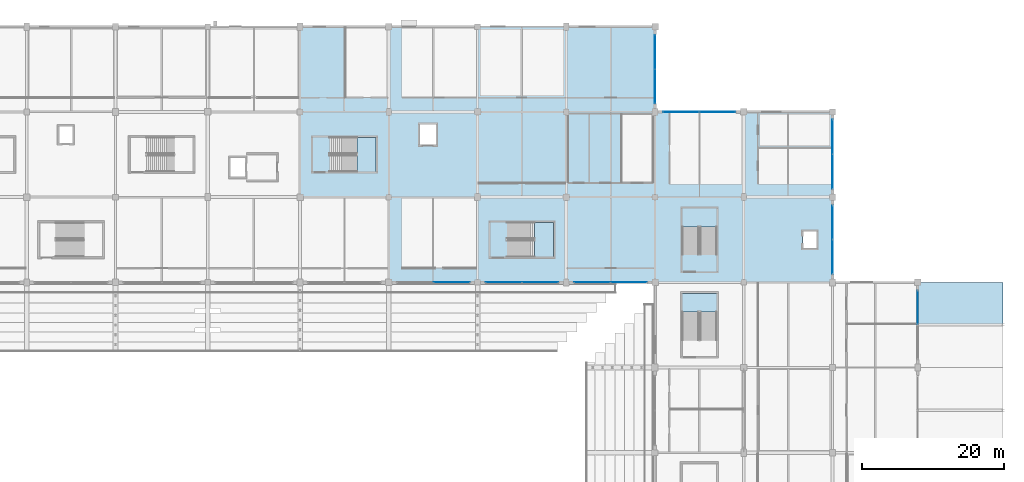
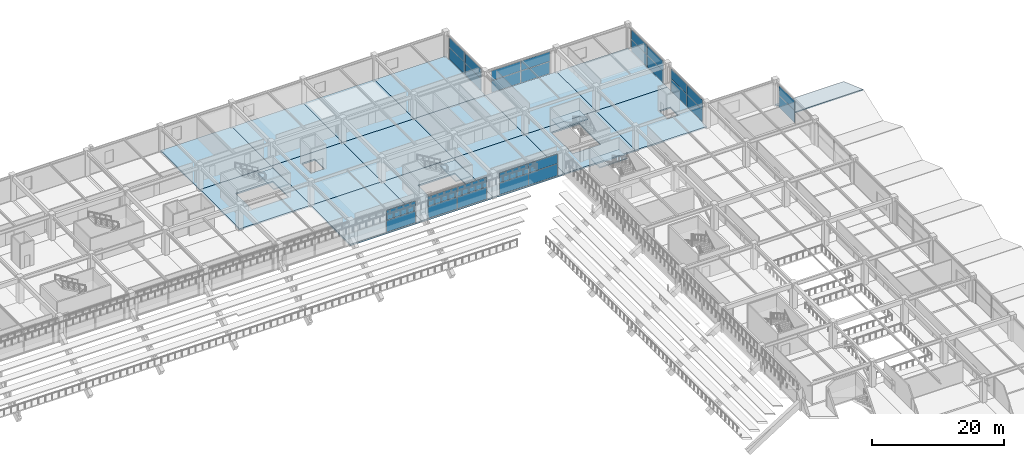
# One storey, part 71 of 134: 28 plates, 20 slabs, 12 elements without a shape of their own.
"""IFC4 building model written with IfcOpenShell, lengths in metres."""

from ifc_helpers import new_model, si_unit, direction, frame, origin, origin_2d, place, context, subcontext, project, spatial, polyline, rectangle, outline, extrude, material, layer, layer_set, type_object, element, aggregate, save


model = new_model("IFC4")

# Units and contexts
model_context = context("Model", 3, precision=1e-05, world=origin(), true_north=direction((0.0, 1.0)))
body_context = subcontext(model_context, "Body", "Model", "MODEL_VIEW")
ifc_project = project(units=[si_unit("LENGTHUNIT", "METRE"), si_unit("AREAUNIT", "SQUARE_METRE"), si_unit("VOLUMEUNIT", "CUBIC_METRE"), si_unit("PLANEANGLEUNIT", "RADIAN"), si_unit("MASSUNIT", "GRAM", prefix="KILO")], contexts=[model_context])

# Site, building, storey
site_placement = place(None, origin())
site = spatial("IfcSite", under=ifc_project, at=site_placement, CompositionType="ELEMENT")
building_placement = place(site_placement, origin())
building = spatial("IfcBuilding", under=site, at=building_placement, Name="Kazenohara Klinker Stadium", CompositionType="ELEMENT")
storey_placement = place(building_placement, frame((0.0, 0.0, 5.39990234375)))
storey = spatial("IfcBuildingStorey", under=building, at=storey_placement, Name="L01", CompositionType="ELEMENT", Elevation=5.39990234375)

# Curtain wall, plates
ifc_material_1 = material(Name="Anodised aluminium and triple glazing", Category="aluminium")
ifc_layer_1 = layer(ifc_material_1, 0.199951171875)
ifc_layer_set_1 = layer_set([ifc_layer_1], Name="Anodised aluminium and triple glazing")
curtain_wall_type_1 = type_object("IfcCurtainWallType", Name="CW-SYS-03", PredefinedType="USERDEFINED", material=ifc_layer_set_1)
curtain_wall_1_placement = place(storey_placement, origin())
curtain_wall_1 = element("IfcCurtainWall", 1, at=curtain_wall_1_placement, inside=storey, type_object=curtain_wall_type_1, Name="Unitised facade curtain wall CW03 L01 Y14-13", ObjectType="UNITISED CURTAIN WALL", PredefinedType="USERDEFINED")
ifc_material_2 = material(Name="Low-e laminated triple glazing", Category="glass")
ifc_layer_2 = layer(ifc_material_2, 0.035888671875)
ifc_layer_set_2 = layer_set([ifc_layer_2], Name="Low-e laminated triple glazing")
plate_type_1 = type_object("IfcPlateType", Name="CW-PNL-36", PredefinedType="CURTAIN_PANEL", material=ifc_layer_set_2)
plate_1_placement = place(storey_placement, frame((175.0, 159.605712890625, 0.065185546875), z_axis=(0.0, 0.0, 1.0), x_axis=(0.0, 1.0, 0.0)))
plate_1 = element("IfcPlate", 2, at=plate_1_placement, type_object=plate_type_1, Name="CW03 panel 1.1", PredefinedType="CURTAIN_PANEL", context=body_context, shape_type="SweptSolid", body=[
    extrude(rectangle(XDim=4.7734375, YDim=0.035888671875, at=origin_2d()), origin(), (0.0, 0.0, 1.0), 2.21240234375),
])
plate_2_placement = place(storey_placement, frame((175.0, 159.605712890625, 2.342529296875), z_axis=(0.0, 0.0, 1.0), x_axis=(0.0, 1.0, 0.0)))
plate_2 = element("IfcPlate", 3, at=plate_2_placement, type_object=plate_type_1, Name="CW03 panel 1.2", PredefinedType="CURTAIN_PANEL", context=body_context, shape_type="SweptSolid", body=[
    extrude(rectangle(XDim=4.7734375, YDim=0.035888671875, at=origin_2d()), origin(), (0.0, 0.0, 1.0), 1.79248046875),
])
plate_3_placement = place(storey_placement, frame((175.0, 164.4443359375, 0.065185546875), z_axis=(0.0, 0.0, 1.0), x_axis=(0.0, 1.0, 0.0)))
plate_3 = element("IfcPlate", 4, at=plate_3_placement, type_object=plate_type_1, Name="CW03 panel 2.1", PredefinedType="CURTAIN_PANEL", context=body_context, shape_type="SweptSolid", body=[
    extrude(rectangle(XDim=4.7734375, YDim=0.035888671875, at=origin_2d()), origin(), (0.0, 0.0, 1.0), 2.21240234375),
])
plate_4_placement = place(storey_placement, frame((175.0, 164.4443359375, 2.342529296875), z_axis=(0.0, 0.0, 1.0), x_axis=(0.0, 1.0, 0.0)))
plate_4 = element("IfcPlate", 5, at=plate_4_placement, type_object=plate_type_1, Name="CW03 panel 2.2", PredefinedType="CURTAIN_PANEL", context=body_context, shape_type="SweptSolid", body=[
    extrude(rectangle(XDim=4.7734375, YDim=0.035888671875, at=origin_2d()), origin(), (0.0, 0.0, 1.0), 1.79248046875),
])
aggregate(curtain_wall_1, [plate_1, plate_2, plate_3, plate_4])

ifc_layer_3 = layer(ifc_material_1, 0.159912109375)
ifc_layer_set_3 = layer_set([ifc_layer_3], Name="Anodised aluminium and triple glazing")
curtain_wall_type_2 = type_object("IfcCurtainWallType", Name="CW-SYS-01", PredefinedType="USERDEFINED", material=ifc_layer_set_3)
curtain_wall_2_placement = place(storey_placement, origin())
curtain_wall_2 = element("IfcCurtainWall", 6, at=curtain_wall_2_placement, inside=storey, type_object=curtain_wall_type_2, Name="Unitised facade curtain wall CW01 L01 Y16-12", ObjectType="UNITISED CURTAIN WALL", PredefinedType="USERDEFINED")
plate_5_placement = place(storey_placement, frame((200.0, 147.580810546875, 0.065185546875), z_axis=(0.0, 0.0, 1.0), x_axis=(0.0, 1.0, 0.0)))
plate_5 = element("IfcPlate", 7, at=plate_5_placement, type_object=plate_type_1, Name="CW01 panel 1.1", PredefinedType="CURTAIN_PANEL", context=body_context, shape_type="SweptSolid", body=[
    extrude(rectangle(XDim=4.823486328125, YDim=0.035888671875, at=origin_2d()), origin(), (0.0, 0.0, 1.0), 2.18505859375),
])
plate_6_placement = place(storey_placement, frame((200.0, 147.580810546875, 2.315185546875), z_axis=(0.0, 0.0, 1.0), x_axis=(0.0, 1.0, 0.0)))
plate_6 = element("IfcPlate", 8, at=plate_6_placement, type_object=plate_type_1, Name="CW01 panel 1.2", PredefinedType="CURTAIN_PANEL", context=body_context, shape_type="SweptSolid", body=[
    extrude(rectangle(XDim=4.823486328125, YDim=0.035888671875, at=origin_2d()), origin(), (0.0, 0.0, 1.0), 1.77001953125),
])
plate_7_placement = place(storey_placement, frame((200.0, 152.46923828125, 0.065185546875), z_axis=(0.0, 0.0, 1.0), x_axis=(0.0, 1.0, 0.0)))
plate_7 = element("IfcPlate", 9, at=plate_7_placement, type_object=plate_type_1, Name="CW01 panel 2.1", PredefinedType="CURTAIN_PANEL", context=body_context, shape_type="SweptSolid", body=[
    extrude(rectangle(XDim=4.823486328125, YDim=0.035888671875, at=origin_2d()), origin(), (0.0, 0.0, 1.0), 2.18505859375),
])
plate_8_placement = place(storey_placement, frame((200.0, 152.46923828125, 2.315185546875), z_axis=(0.0, 0.0, 1.0), x_axis=(0.0, 1.0, 0.0)))
plate_8 = element("IfcPlate", 10, at=plate_8_placement, type_object=plate_type_1, Name="CW01 panel 2.2", PredefinedType="CURTAIN_PANEL", context=body_context, shape_type="SweptSolid", body=[
    extrude(rectangle(XDim=4.823486328125, YDim=0.035888671875, at=origin_2d()), origin(), (0.0, 0.0, 1.0), 1.77001953125),
])
aggregate(curtain_wall_2, [plate_5, plate_6, plate_7, plate_8])

curtain_wall_3_placement = place(storey_placement, origin())
curtain_wall_3 = element("IfcCurtainWall", 11, at=curtain_wall_3_placement, inside=storey, type_object=curtain_wall_type_1, Name="Unitised facade curtain wall CW03 L01 X11-11", ObjectType="UNITISED CURTAIN WALL", PredefinedType="USERDEFINED")
ifc_layer_4 = layer(ifc_material_2, 0.0439453125)
ifc_layer_set_4 = layer_set([ifc_layer_4], Name="Low-e laminated triple glazing")
plate_type_2 = type_object("IfcPlateType", Name="CW-PNL-44", PredefinedType="CURTAIN_PANEL", material=ifc_layer_set_4)
plate_9_placement = place(storey_placement, frame((146.341796875, 132.0, 0.0751953125), z_axis=(0.0, 0.0, 1.0), x_axis=(1.0, 0.0, 0.0)))
plate_9 = element("IfcPlate", 12, at=plate_9_placement, type_object=plate_type_2, Name="CW03 panel 2.1", PredefinedType="CURTAIN_PANEL", context=body_context, shape_type="SweptSolid", body=[
    extrude(rectangle(XDim=5.05859375, YDim=0.0439453125, at=origin_2d()), origin(), (0.0, 0.0, 1.0), 2.169921875),
])
plate_10_placement = place(storey_placement, frame((146.341796875, 132.0, 2.320068359375), z_axis=(0.0, 0.0, 1.0), x_axis=(1.0, 0.0, 0.0)))
plate_10 = element("IfcPlate", 13, at=plate_10_placement, type_object=plate_type_2, Name="CW03 panel 2.2", PredefinedType="CURTAIN_PANEL", context=body_context, shape_type="SweptSolid", body=[
    extrude(rectangle(XDim=5.05859375, YDim=0.0439453125, at=origin_2d()), origin(), (0.0, 0.0, 1.0), 1.7548828125),
])
aggregate(curtain_wall_3, [plate_9, plate_10])

ifc_layer_5 = layer(ifc_material_1, 0.18994140625)
ifc_layer_set_5 = layer_set([ifc_layer_5], Name="Anodised aluminium and triple glazing")
curtain_wall_type_3 = type_object("IfcCurtainWallType", Name="CW-SYS-05", PredefinedType="USERDEFINED", material=ifc_layer_set_5)
curtain_wall_4_placement = place(storey_placement, origin())
curtain_wall_4 = element("IfcCurtainWall", 14, at=curtain_wall_4_placement, inside=storey, type_object=curtain_wall_type_3, Name="Unitised facade curtain wall CW05 L01 X12-11", ObjectType="UNITISED CURTAIN WALL", PredefinedType="USERDEFINED")
plate_11_placement = place(storey_placement, frame((153.670654296875, 132.0, 0.0751953125), z_axis=(0.0, 0.0, 1.0), x_axis=(1.0, 0.0, 0.0)))
plate_11 = element("IfcPlate", 15, at=plate_11_placement, type_object=plate_type_2, Name="CW05 panel 1.1", PredefinedType="CURTAIN_PANEL", context=body_context, shape_type="SweptSolid", body=[
    extrude(rectangle(XDim=5.08349609375, YDim=0.0439453125, at=origin_2d()), origin(), (0.0, 0.0, 1.0), 2.197509765625),
])
plate_12_placement = place(storey_placement, frame((153.670654296875, 132.0, 2.34765625), z_axis=(0.0, 0.0, 1.0), x_axis=(1.0, 0.0, 0.0)))
plate_12 = element("IfcPlate", 16, at=plate_12_placement, type_object=plate_type_2, Name="CW05 panel 1.2", PredefinedType="CURTAIN_PANEL", context=body_context, shape_type="SweptSolid", body=[
    extrude(rectangle(XDim=5.08349609375, YDim=0.0439453125, at=origin_2d()), origin(), (0.0, 0.0, 1.0), 1.777587890625),
])
plate_13_placement = place(storey_placement, frame((158.829345703125, 132.0, 0.0751953125), z_axis=(0.0, 0.0, 1.0), x_axis=(1.0, 0.0, 0.0)))
plate_13 = element("IfcPlate", 17, at=plate_13_placement, type_object=plate_type_2, Name="CW05 panel 2.1", PredefinedType="CURTAIN_PANEL", context=body_context, shape_type="SweptSolid", body=[
    extrude(rectangle(XDim=5.08349609375, YDim=0.0439453125, at=origin_2d()), origin(), (0.0, 0.0, 1.0), 2.197509765625),
])
plate_14_placement = place(storey_placement, frame((158.829345703125, 132.0, 2.34765625), z_axis=(0.0, 0.0, 1.0), x_axis=(1.0, 0.0, 0.0)))
plate_14 = element("IfcPlate", 18, at=plate_14_placement, type_object=plate_type_2, Name="CW05 panel 2.2", PredefinedType="CURTAIN_PANEL", context=body_context, shape_type="SweptSolid", body=[
    extrude(rectangle(XDim=5.08349609375, YDim=0.0439453125, at=origin_2d()), origin(), (0.0, 0.0, 1.0), 1.777587890625),
])
aggregate(curtain_wall_4, [plate_11, plate_12, plate_13, plate_14])

ifc_layer_6 = layer(ifc_material_1, 0.179931640625)
ifc_layer_set_6 = layer_set([ifc_layer_6], Name="Anodised aluminium and triple glazing")
curtain_wall_type_4 = type_object("IfcCurtainWallType", Name="CW-SYS-02", PredefinedType="USERDEFINED", material=ifc_layer_set_6)
curtain_wall_5_placement = place(storey_placement, origin())
curtain_wall_5 = element("IfcCurtainWall", 19, at=curtain_wall_5_placement, inside=storey, type_object=curtain_wall_type_4, Name="Unitised facade curtain wall CW02 L01 X13-11", ObjectType="UNITISED CURTAIN WALL", PredefinedType="USERDEFINED")
plate_15_placement = place(storey_placement, frame((166.158203125, 132.0, 0.0751953125), z_axis=(0.0, 0.0, 1.0), x_axis=(1.0, 0.0, 0.0)))
plate_15 = element("IfcPlate", 20, at=plate_15_placement, type_object=plate_type_2, Name="CW02 panel 1.1", PredefinedType="CURTAIN_PANEL", context=body_context, shape_type="SweptSolid", body=[
    extrude(rectangle(XDim=5.05859375, YDim=0.0439453125, at=origin_2d()), origin(), (0.0, 0.0, 1.0), 2.169921875),
])
plate_16_placement = place(storey_placement, frame((166.158203125, 132.0, 2.320068359375), z_axis=(0.0, 0.0, 1.0), x_axis=(1.0, 0.0, 0.0)))
plate_16 = element("IfcPlate", 21, at=plate_16_placement, type_object=plate_type_2, Name="CW02 panel 1.2", PredefinedType="CURTAIN_PANEL", context=body_context, shape_type="SweptSolid", body=[
    extrude(rectangle(XDim=5.05859375, YDim=0.0439453125, at=origin_2d()), origin(), (0.0, 0.0, 1.0), 1.7548828125),
])
plate_17_placement = place(storey_placement, frame((171.291748046875, 132.0, 0.0751953125), z_axis=(0.0, 0.0, 1.0), x_axis=(1.0, 0.0, 0.0)))
plate_17 = element("IfcPlate", 22, at=plate_17_placement, type_object=plate_type_2, Name="CW02 panel 2.1", PredefinedType="CURTAIN_PANEL", context=body_context, shape_type="SweptSolid", body=[
    extrude(rectangle(XDim=5.05859375, YDim=0.0439453125, at=origin_2d()), origin(), (0.0, 0.0, 1.0), 2.169921875),
])
plate_18_placement = place(storey_placement, frame((171.291748046875, 132.0, 2.320068359375), z_axis=(0.0, 0.0, 1.0), x_axis=(1.0, 0.0, 0.0)))
plate_18 = element("IfcPlate", 23, at=plate_18_placement, type_object=plate_type_2, Name="CW02 panel 2.2", PredefinedType="CURTAIN_PANEL", context=body_context, shape_type="SweptSolid", body=[
    extrude(rectangle(XDim=5.05859375, YDim=0.0439453125, at=origin_2d()), origin(), (0.0, 0.0, 1.0), 1.7548828125),
])
aggregate(curtain_wall_5, [plate_15, plate_16, plate_17, plate_18])

curtain_wall_6_placement = place(storey_placement, origin())
curtain_wall_6 = element("IfcCurtainWall", 24, at=curtain_wall_6_placement, inside=storey, type_object=curtain_wall_type_1, Name="Unitised facade curtain wall CW03 L01 X14-13", ObjectType="UNITISED CURTAIN WALL", PredefinedType="USERDEFINED")
plate_19_placement = place(storey_placement, frame((178.658203125, 156.0, 0.0751953125), z_axis=(0.0, 0.0, 1.0), x_axis=(1.0, 0.0, 0.0)))
plate_19 = element("IfcPlate", 25, at=plate_19_placement, type_object=plate_type_2, Name="CW03 panel 1.1", PredefinedType="CURTAIN_PANEL", context=body_context, shape_type="SweptSolid", body=[
    extrude(rectangle(XDim=5.05859375, YDim=0.0439453125, at=origin_2d()), origin(), (0.0, 0.0, 1.0), 2.197509765625),
])
plate_20_placement = place(storey_placement, frame((178.658203125, 156.0, 2.34765625), z_axis=(0.0, 0.0, 1.0), x_axis=(1.0, 0.0, 0.0)))
plate_20 = element("IfcPlate", 26, at=plate_20_placement, type_object=plate_type_2, Name="CW03 panel 1.2", PredefinedType="CURTAIN_PANEL", context=body_context, shape_type="SweptSolid", body=[
    extrude(rectangle(XDim=5.05859375, YDim=0.0439453125, at=origin_2d()), origin(), (0.0, 0.0, 1.0), 1.777587890625),
])
plate_21_placement = place(storey_placement, frame((183.791748046875, 156.0, 0.0751953125), z_axis=(0.0, 0.0, 1.0), x_axis=(1.0, 0.0, 0.0)))
plate_21 = element("IfcPlate", 27, at=plate_21_placement, type_object=plate_type_2, Name="CW03 panel 2.1", PredefinedType="CURTAIN_PANEL", context=body_context, shape_type="SweptSolid", body=[
    extrude(rectangle(XDim=5.05859375, YDim=0.0439453125, at=origin_2d()), origin(), (0.0, 0.0, 1.0), 2.197509765625),
])
plate_22_placement = place(storey_placement, frame((183.791748046875, 156.0, 2.34765625), z_axis=(0.0, 0.0, 1.0), x_axis=(1.0, 0.0, 0.0)))
plate_22 = element("IfcPlate", 28, at=plate_22_placement, type_object=plate_type_2, Name="CW03 panel 2.2", PredefinedType="CURTAIN_PANEL", context=body_context, shape_type="SweptSolid", body=[
    extrude(rectangle(XDim=5.05859375, YDim=0.0439453125, at=origin_2d()), origin(), (0.0, 0.0, 1.0), 1.777587890625),
])
aggregate(curtain_wall_6, [plate_19, plate_20, plate_21, plate_22])

curtain_wall_7_placement = place(storey_placement, origin())
curtain_wall_7 = element("IfcCurtainWall", 29, at=curtain_wall_7_placement, inside=storey, type_object=curtain_wall_type_3, Name="Unitised facade curtain wall CW05 L01 Y16-11", ObjectType="UNITISED CURTAIN WALL", PredefinedType="USERDEFINED")
plate_23_placement = place(storey_placement, frame((200.0, 135.608154296875, 0.0751953125), z_axis=(0.0, 0.0, 1.0), x_axis=(0.0, 1.0, 0.0)))
plate_23 = element("IfcPlate", 30, at=plate_23_placement, type_object=plate_type_2, Name="CW05 panel 1.1", PredefinedType="CURTAIN_PANEL", context=body_context, shape_type="SweptSolid", body=[
    extrude(rectangle(XDim=4.758544921875, YDim=0.0439453125, at=origin_2d()), origin(), (0.0, 0.0, 1.0), 2.197509765625),
])
plate_24_placement = place(storey_placement, frame((200.0, 135.608154296875, 2.34765625), z_axis=(0.0, 0.0, 1.0), x_axis=(0.0, 1.0, 0.0)))
plate_24 = element("IfcPlate", 31, at=plate_24_placement, type_object=plate_type_2, Name="CW05 panel 1.2", PredefinedType="CURTAIN_PANEL", context=body_context, shape_type="SweptSolid", body=[
    extrude(rectangle(XDim=4.758544921875, YDim=0.0439453125, at=origin_2d()), origin(), (0.0, 0.0, 1.0), 1.777587890625),
])
plate_25_placement = place(storey_placement, frame((200.0, 140.441650390625, 0.0751953125), z_axis=(0.0, 0.0, 1.0), x_axis=(0.0, 1.0, 0.0)))
plate_25 = element("IfcPlate", 32, at=plate_25_placement, type_object=plate_type_2, Name="CW05 panel 2.1", PredefinedType="CURTAIN_PANEL", context=body_context, shape_type="SweptSolid", body=[
    extrude(rectangle(XDim=4.758544921875, YDim=0.0439453125, at=origin_2d()), origin(), (0.0, 0.0, 1.0), 2.197509765625),
])
plate_26_placement = place(storey_placement, frame((200.0, 140.441650390625, 2.34765625), z_axis=(0.0, 0.0, 1.0), x_axis=(0.0, 1.0, 0.0)))
plate_26 = element("IfcPlate", 33, at=plate_26_placement, type_object=plate_type_2, Name="CW05 panel 2.2", PredefinedType="CURTAIN_PANEL", context=body_context, shape_type="SweptSolid", body=[
    extrude(rectangle(XDim=4.758544921875, YDim=0.0439453125, at=origin_2d()), origin(), (0.0, 0.0, 1.0), 1.777587890625),
])
aggregate(curtain_wall_7, [plate_23, plate_24, plate_25, plate_26])

curtain_wall_8_placement = place(storey_placement, origin())
curtain_wall_8 = element("IfcCurtainWall", 34, at=curtain_wall_8_placement, inside=storey, type_object=curtain_wall_type_2, Name="Unitised facade curtain wall CW01 L01 Y17-10", ObjectType="UNITISED CURTAIN WALL", PredefinedType="USERDEFINED")
plate_27_placement = place(storey_placement, frame((212.0, 128.441650390625, 0.0751953125), z_axis=(0.0, 0.0, 1.0), x_axis=(0.0, 1.0, 0.0)))
plate_27 = element("IfcPlate", 35, at=plate_27_placement, type_object=plate_type_2, Name="CW01 panel 2.1", PredefinedType="CURTAIN_PANEL", context=body_context, shape_type="SweptSolid", body=[
    extrude(rectangle(XDim=4.758544921875, YDim=0.0439453125, at=origin_2d()), origin(), (0.0, 0.0, 1.0), 2.197509765625),
])
plate_28_placement = place(storey_placement, frame((212.0, 128.441650390625, 2.34765625), z_axis=(0.0, 0.0, 1.0), x_axis=(0.0, 1.0, 0.0)))
plate_28 = element("IfcPlate", 36, at=plate_28_placement, type_object=plate_type_2, Name="CW01 panel 2.2", PredefinedType="CURTAIN_PANEL", context=body_context, shape_type="SweptSolid", body=[
    extrude(rectangle(XDim=4.758544921875, YDim=0.0439453125, at=origin_2d()), origin(), (0.0, 0.0, 1.0), 1.777587890625),
])
aggregate(curtain_wall_8, [plate_27, plate_28])

# Slabs
ifc_material_3 = material(Name="Concrete C40/50", Category="concrete")
ifc_layer_7 = layer(ifc_material_3, 0.260009765625)
ifc_layer_set_7 = layer_set([ifc_layer_7], Name="Concrete C40/50")
slab_type_1 = type_object("IfcSlabType", Name="SLB-FLR-260", PredefinedType="FLOOR", material=ifc_layer_set_7)
slab_1_placement = place(storey_placement, frame((0.0, 0.0, -0.260009765625)))
element("IfcSlab", 37, at=slab_1_placement, inside=storey, type_object=slab_type_1, Name="Floor slab FS02 L01 11/N", PredefinedType="FLOOR", context=body_context, shape_type="SweptSolid", body=[
    extrude(outline(polyline([(125.0, 144.0), (137.5, 144.0), (137.5, 156.0), (125.0, 156.0), (125.0, 144.0)]), holes=[polyline([(129.199951171875, 147.570068359375), (135.7099609375, 147.570068359375), (135.7099609375, 152.429931640625), (129.199951171875, 152.429931640625), (129.199951171875, 147.570068359375)])]), origin(), (0.0, 0.0, 1.0), 0.260009765625),
])
slab_2_placement = place(storey_placement, frame((0.0, 0.0, -0.260009765625)))
element("IfcSlab", 38, at=slab_2_placement, inside=storey, type_object=slab_type_1, Name="Floor slab FS02 L01 11/P", PredefinedType="FLOOR", context=body_context, shape_type="SweptSolid", body=[
    extrude(outline(polyline([(125.0, 156.0), (137.5, 156.0), (137.5, 168.0), (125.0, 168.0), (125.0, 156.0)])), origin(), (0.0, 0.0, 1.0), 0.260009765625),
])
slab_3_placement = place(storey_placement, frame((0.0, 0.0, -0.260009765625)))
element("IfcSlab", 39, at=slab_3_placement, inside=storey, type_object=slab_type_1, Name="Floor slab FS02 L01 12/M", PredefinedType="FLOOR", context=body_context, shape_type="SweptSolid", body=[
    extrude(outline(polyline([(137.5, 132.0), (150.0, 132.0), (150.0, 144.0), (137.5, 144.0), (137.5, 132.0)])), origin(), (0.0, 0.0, 1.0), 0.260009765625),
])
slab_4_placement = place(storey_placement, frame((0.0, 0.0, -0.260009765625)))
element("IfcSlab", 40, at=slab_4_placement, inside=storey, type_object=slab_type_1, Name="Floor slab FS02 L01 12/N", PredefinedType="FLOOR", context=body_context, shape_type="SweptSolid", body=[
    extrude(outline(polyline([(137.5, 144.0), (150.0, 144.0), (150.0, 156.0), (137.5, 156.0), (137.5, 144.0)]), holes=[polyline([(141.85009765625, 151.35009765625), (144.14990234375, 151.35009765625), (144.14990234375, 154.25), (141.85009765625, 154.25), (141.85009765625, 151.35009765625)])]), origin(), (0.0, 0.0, 1.0), 0.260009765625),
])
slab_5_placement = place(storey_placement, frame((0.0, 0.0, -0.260009765625)))
element("IfcSlab", 41, at=slab_5_placement, inside=storey, type_object=slab_type_1, Name="Floor slab FS02 L01 12/P", PredefinedType="FLOOR", context=body_context, shape_type="SweptSolid", body=[
    extrude(outline(polyline([(137.5, 156.0), (150.0, 156.0), (150.0, 168.0), (137.5, 168.0), (137.5, 156.0)])), origin(), (0.0, 0.0, 1.0), 0.260009765625),
])
slab_6_placement = place(storey_placement, frame((0.0, 0.0, -0.260009765625)))
element("IfcSlab", 42, at=slab_6_placement, inside=storey, type_object=slab_type_1, Name="Floor slab FS02 L01 13/M", PredefinedType="FLOOR", context=body_context, shape_type="SweptSolid", body=[
    extrude(outline(polyline([(150.0, 132.0), (162.5, 132.0), (162.5, 144.0), (150.0, 144.0), (150.0, 132.0)]), holes=[polyline([(154.2099609375, 135.56005859375), (160.7099609375, 135.56005859375), (160.7099609375, 140.43994140625), (154.2099609375, 140.43994140625), (154.2099609375, 135.56005859375)])]), origin(), (0.0, 0.0, 1.0), 0.260009765625),
])
slab_7_placement = place(storey_placement, frame((0.0, 0.0, -0.260009765625)))
element("IfcSlab", 43, at=slab_7_placement, inside=storey, type_object=slab_type_1, Name="Floor slab FS02 L01 13/N", PredefinedType="FLOOR", context=body_context, shape_type="SweptSolid", body=[
    extrude(outline(polyline([(150.0, 144.0), (162.5, 144.0), (162.5, 156.0), (150.0, 156.0), (150.0, 144.0)])), origin(), (0.0, 0.0, 1.0), 0.260009765625),
])
slab_8_placement = place(storey_placement, frame((0.0, 0.0, -0.260009765625)))
element("IfcSlab", 44, at=slab_8_placement, inside=storey, type_object=slab_type_1, Name="Floor slab FS02 L01 13/P", PredefinedType="FLOOR", context=body_context, shape_type="SweptSolid", body=[
    extrude(outline(polyline([(150.0, 156.0), (162.5, 156.0), (162.5, 168.0), (150.0, 168.0), (150.0, 156.0)])), origin(), (0.0, 0.0, 1.0), 0.260009765625),
])
slab_9_placement = place(storey_placement, frame((0.0, 0.0, -0.260009765625)))
element("IfcSlab", 45, at=slab_9_placement, inside=storey, type_object=slab_type_1, Name="Floor slab FS02 L01 14/M", PredefinedType="FLOOR", context=body_context, shape_type="SweptSolid", body=[
    extrude(outline(polyline([(162.5, 132.0), (175.0, 132.0), (175.0, 144.0), (162.5, 144.0), (162.5, 132.0)])), origin(), (0.0, 0.0, 1.0), 0.260009765625),
])
slab_10_placement = place(storey_placement, frame((0.0, 0.0, -0.260009765625)))
element("IfcSlab", 46, at=slab_10_placement, inside=storey, type_object=slab_type_1, Name="Floor slab FS02 L01 14/N", PredefinedType="FLOOR", context=body_context, shape_type="SweptSolid", body=[
    extrude(outline(polyline([(162.5, 144.0), (175.0, 144.0), (175.0, 156.0), (162.5, 156.0), (162.5, 144.0)])), origin(), (0.0, 0.0, 1.0), 0.260009765625),
])
slab_11_placement = place(storey_placement, frame((0.0, 0.0, -0.260009765625)))
element("IfcSlab", 47, at=slab_11_placement, inside=storey, type_object=slab_type_1, Name="Floor slab FS02 L01 14/P", PredefinedType="FLOOR", context=body_context, shape_type="SweptSolid", body=[
    extrude(outline(polyline([(162.5, 156.0), (175.0, 156.0), (175.0, 168.0), (162.5, 168.0), (162.5, 156.0)])), origin(), (0.0, 0.0, 1.0), 0.260009765625),
])
slab_12_placement = place(storey_placement, frame((0.0, 0.0, -0.260009765625)))
element("IfcSlab", 48, at=slab_12_placement, inside=storey, type_object=slab_type_1, Name="Floor slab FS02 L01 15/M", PredefinedType="FLOOR", context=body_context, shape_type="SweptSolid", body=[
    extrude(outline(polyline([(175.0, 132.0), (187.5, 132.0), (187.5, 144.0), (175.0, 144.0), (175.0, 132.0)]), holes=[polyline([(183.68994140625, 135.9599609375), (183.68994140625, 142.4599609375), (178.81005859375, 142.4599609375), (178.81005859375, 135.9599609375), (183.68994140625, 135.9599609375)])]), origin(), (0.0, 0.0, 1.0), 0.260009765625),
])
slab_13_placement = place(storey_placement, frame((0.0, 0.0, -0.260009765625)))
element("IfcSlab", 49, at=slab_13_placement, inside=storey, type_object=slab_type_1, Name="Floor slab FS02 L01 15/N", PredefinedType="FLOOR", context=body_context, shape_type="SweptSolid", body=[
    extrude(outline(polyline([(175.0, 144.0), (187.5, 144.0), (187.5, 156.0), (175.0, 156.0), (175.0, 144.0)])), origin(), (0.0, 0.0, 1.0), 0.260009765625),
])
slab_14_placement = place(storey_placement, frame((0.0, 0.0, -0.260009765625)))
element("IfcSlab", 50, at=slab_14_placement, inside=storey, type_object=slab_type_1, Name="Floor slab FS02 L01 16/M", PredefinedType="FLOOR", context=body_context, shape_type="SweptSolid", body=[
    extrude(outline(polyline([(187.5, 132.0), (200.0, 132.0), (200.0, 144.0), (187.5, 144.0), (187.5, 132.0)]), holes=[polyline([(195.85009765625, 136.800048828125), (197.75, 136.800048828125), (197.75, 139.199951171875), (195.85009765625, 139.199951171875), (195.85009765625, 136.800048828125)])]), origin(), (0.0, 0.0, 1.0), 0.260009765625),
])
slab_15_placement = place(storey_placement, frame((0.0, 0.0, -0.260009765625)))
element("IfcSlab", 51, at=slab_15_placement, inside=storey, type_object=slab_type_1, Name="Floor slab FS02 L01 16/N", PredefinedType="FLOOR", context=body_context, shape_type="SweptSolid", body=[
    extrude(outline(polyline([(187.5, 144.0), (200.0, 144.0), (200.0, 156.0), (187.5, 156.0), (187.5, 144.0)])), origin(), (0.0, 0.0, 1.0), 0.260009765625),
])

# Stair, slab
stair_type_1 = type_object("IfcStairType", Name="STR-DL-2330", PredefinedType="HALF_TURN_STAIR", material=ifc_material_3)
stair_1_placement = place(storey_placement, origin())
stair_1 = element("IfcStair", 52, at=stair_1_placement, inside=storey, type_object=stair_type_1, Name="L01 Enclosed escape stair ST11", PredefinedType="HALF_TURN_STAIR")
ifc_layer_8 = layer(ifc_material_3, 0.199951171875)
ifc_layer_set_8 = layer_set([ifc_layer_8], Name="Concrete C40/50")
slab_type_2 = type_object("IfcSlabType", Name="SLB-LND-200", PredefinedType="LANDING", material=ifc_layer_set_8)
slab_16_placement = place(storey_placement, frame((0.0, 0.0, 2.2001953125)))
slab_16 = element("IfcSlab", 53, at=slab_16_placement, type_object=slab_type_2, Name="ST11 landing 1", PredefinedType="LANDING", context=body_context, shape_type="SweptSolid", body=[
    extrude(outline(polyline([(133.0400390625, 147.570068359375), (135.7099609375, 147.570068359375), (135.7099609375, 152.429931640625), (133.0400390625, 152.429931640625), (133.0400390625, 147.570068359375)])), origin(), (0.0, 0.0, 1.0), 0.199951171875),
])
aggregate(stair_1, [slab_16])

stair_type_2 = type_object("IfcStairType", Name="STR-DL-2340", PredefinedType="HALF_TURN_STAIR", material=ifc_material_3)
stair_2_placement = place(storey_placement, origin())
stair_2 = element("IfcStair", 54, at=stair_2_placement, inside=storey, type_object=stair_type_2, Name="L01 Enclosed escape stair ST12", PredefinedType="HALF_TURN_STAIR")
slab_17_placement = place(storey_placement, frame((0.0, 0.0, 2.2001953125)))
slab_17 = element("IfcSlab", 55, at=slab_17_placement, type_object=slab_type_2, Name="ST12 landing 1", PredefinedType="LANDING", context=body_context, shape_type="SweptSolid", body=[
    extrude(outline(polyline([(183.68994140625, 139.800048828125), (183.68994140625, 142.4599609375), (178.81005859375, 142.4599609375), (178.81005859375, 139.800048828125), (183.68994140625, 139.800048828125)])), origin(), (0.0, 0.0, 1.0), 0.199951171875),
])
aggregate(stair_2, [slab_17])

stair_3_placement = place(storey_placement, origin())
stair_3 = element("IfcStair", 56, at=stair_3_placement, inside=storey, type_object=stair_type_2, Name="L01 Enclosed escape stair ST20", PredefinedType="HALF_TURN_STAIR")
slab_18_placement = place(storey_placement, frame((0.0, 0.0, 2.2001953125)))
slab_18 = element("IfcSlab", 57, at=slab_18_placement, type_object=slab_type_2, Name="ST20 landing 1", PredefinedType="LANDING", context=body_context, shape_type="SweptSolid", body=[
    extrude(outline(polyline([(158.050048828125, 135.56005859375), (160.7099609375, 135.56005859375), (160.7099609375, 140.43994140625), (158.050048828125, 140.43994140625), (158.050048828125, 135.56005859375)])), origin(), (0.0, 0.0, 1.0), 0.199951171875),
])
aggregate(stair_3, [slab_18])

stair_4_placement = place(storey_placement, origin())
stair_4 = element("IfcStair", 58, at=stair_4_placement, inside=storey, type_object=stair_type_2, Name="L01 Enclosed escape stair ST24", PredefinedType="HALF_TURN_STAIR")
slab_19_placement = place(storey_placement, frame((0.0, 0.0, 2.2001953125)))
slab_19 = element("IfcSlab", 59, at=slab_19_placement, type_object=slab_type_2, Name="ST24 landing 1", PredefinedType="LANDING", context=body_context, shape_type="SweptSolid", body=[
    extrude(outline(polyline([(183.68994140625, 127.800048828125), (183.68994140625, 130.4599609375), (178.81005859375, 130.4599609375), (178.81005859375, 127.800048828125), (183.68994140625, 127.800048828125)])), origin(), (0.0, 0.0, 1.0), 0.199951171875),
])
aggregate(stair_4, [slab_19])

# Slab
ifc_material_4 = material(Name="Steel S355", Category="steel")
ifc_layer_9 = layer(ifc_material_4, 0.169921875)
ifc_layer_set_9 = layer_set([ifc_layer_9], Name="Steel S355")
slab_type_3 = type_object("IfcSlabType", Name="SLB-ROOF-170", PredefinedType="ROOF", material=ifc_layer_set_9)
slab_20_placement = place(storey_placement, frame((212.0, 126.050048828125, 2.070068359375), z_axis=(0.0, 0.3398274788, 0.940487790805), x_axis=(1.0, 0.0, 0.0)))
element("IfcSlab", 60, at=slab_20_placement, inside=storey, type_object=slab_type_3, Name="Sloped snow-shedding wing roof RS02 L01 18/L B", PredefinedType="ROOF", context=body_context, shape_type="SweptSolid", body=[
    extrude(outline(polyline([(0.0, 0.0), (12.0, 0.0), (12.0, 6.326452326174476), (0.0, 6.326452326174476), (0.0, 0.0)])), origin(), (0.0, 0.0, -1.0), 0.169921875),
])

save(model, "model.ifc")
